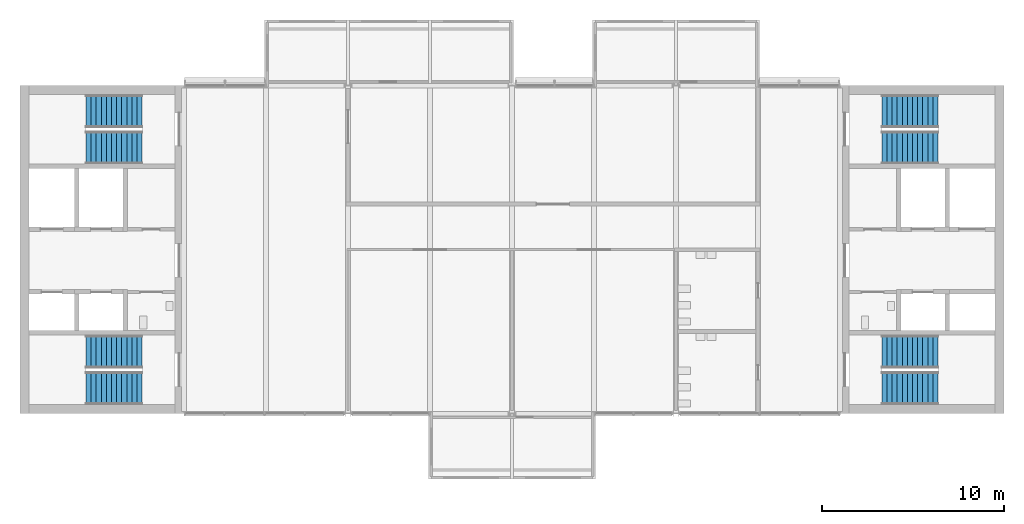
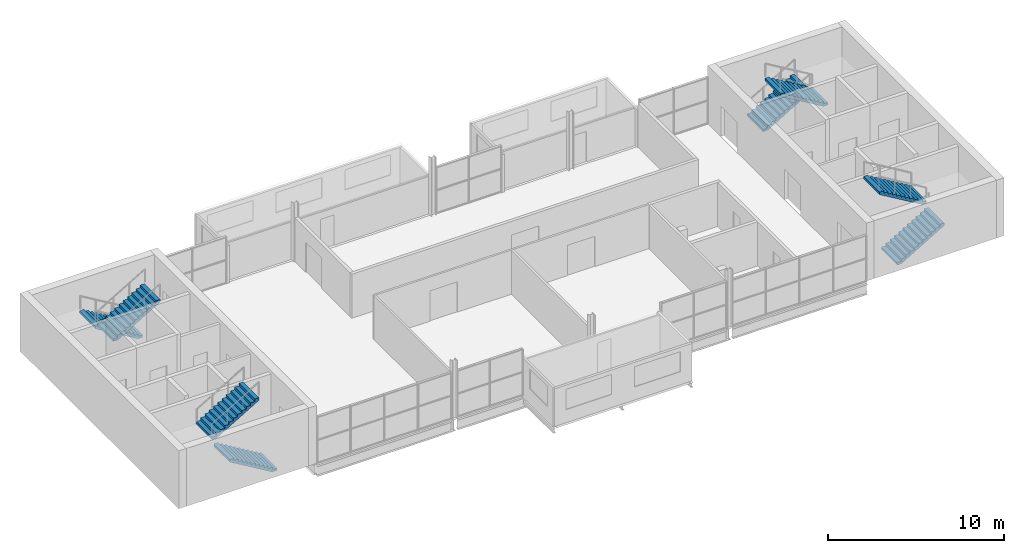
# One storey, part 7 of 10: 8 stair flights, 4 elements without a shape of their own.
"""IFC4 building model written with IfcOpenShell, lengths in metres."""

import ifcopenshell
import ifcopenshell.guid

model = None  # the IFC model being written
_history = None  # IfcOwnerHistory: only IFC2X3 demands one
_inside = {}  # id of a spatial element -> (the spatial element, [elements in it])
_under = {}  # id of a project, library or spatial element -> (it, [spatial elements below it])
_declared = {}  # id of a project -> (the project, [libraries it declares])
_typed = {}  # id of a type object -> (the type object, [elements of that type])
_made_of = {}  # id of a material, layer set ... -> (it, [elements and type objects made of it])


def new_model(schema):
    """Start an empty IFC model of exactly this schema.

    Asked for "IFC4X3", IfcOpenShell would pick the latest addendum, in which some entities
    have other attributes; the version numbers below select the first issue.
    IFC2X3 requires an IfcOwnerHistory on every rooted entity: one is made here for all.
    """
    global model, _history
    if schema == "IFC4X3":
        model = ifcopenshell.file(schema_version=(4, 3, 0, 0))
    else:
        model = ifcopenshell.file(schema=schema)
    _inside.clear()
    _under.clear()
    _declared.clear()
    _typed.clear()
    _made_of.clear()
    _history = None
    if model.schema == "IFC2X3":
        org = make("IfcOrganization", Name="unknown")
        user = make(
            "IfcPersonAndOrganization",
            ThePerson=make("IfcPerson", FamilyName="unknown"),
            TheOrganization=org,
        )
        app = make(
            "IfcApplication",
            ApplicationDeveloper=org,
            Version="unknown",
            ApplicationFullName="unknown",
            ApplicationIdentifier="unknown",
        )
        _history = make(
            "IfcOwnerHistory",
            OwningUser=user,
            OwningApplication=app,
            ChangeAction="ADDED",
            CreationDate=0,
        )
    return model


def make(cls, **values):
    """One entity of the class cls with the attributes given. An attribute that is None is left unset."""
    return model.create_entity(
        cls, **{name: value for name, value in values.items() if value is not None}
    )


def rooted(cls, **values):
    """An entity with a GlobalId (a new one), such as an element, a storey or a relation."""
    return make(cls, GlobalId=ifcopenshell.guid.new(), OwnerHistory=_history, **values)


def si_unit(unit_type, name, prefix=None):
    """IfcSIUnit, for example si_unit("LENGTHUNIT", "METRE", prefix="MILLI")."""
    return make("IfcSIUnit", UnitType=unit_type, Prefix=prefix, Name=name)


def assignment(units):
    """IfcUnitAssignment: the units of a project."""
    return None if units is None else make("IfcUnitAssignment", Units=units)


def point(xyz):
    """IfcCartesianPoint."""
    return None if xyz is None else make("IfcCartesianPoint", Coordinates=xyz)


def direction(xyz):
    """IfcDirection."""
    return None if xyz is None else make("IfcDirection", DirectionRatios=xyz)


def frame(location, z_axis=None, x_axis=None):
    """IfcAxis2Placement3D, a coordinate frame: its origin and axes. An axis left out is left unset."""
    return make(
        "IfcAxis2Placement3D",
        Location=point(location),
        Axis=direction(z_axis),
        RefDirection=direction(x_axis),
    )


def origin():
    """The frame at (0, 0, 0) with its axes left unset."""
    return frame((0.0, 0.0, 0.0))


def place(relative_to, where):
    """IfcLocalPlacement: puts the frame where relative to a parent placement (None: the world)."""
    return make(
        "IfcLocalPlacement", PlacementRelTo=relative_to, RelativePlacement=where
    )


def context(
    kind, dimensions, precision=None, world=None, true_north=None, identifier=None
):
    """IfcGeometricRepresentationContext, for example the 3D "Model" context."""
    return make(
        "IfcGeometricRepresentationContext",
        ContextIdentifier=identifier,
        ContextType=kind,
        CoordinateSpaceDimension=dimensions,
        Precision=precision,
        WorldCoordinateSystem=world,
        TrueNorth=true_north,
    )


def subcontext(parent, identifier, kind, view, scale=None):
    """IfcGeometricRepresentationSubContext, for example "Body" below "Model"."""
    return make(
        "IfcGeometricRepresentationSubContext",
        ContextIdentifier=identifier,
        ContextType=kind,
        ParentContext=parent,
        TargetScale=scale,
        TargetView=view,
    )


def project(units=None, contexts=None):
    """IfcProject with its units and contexts."""
    return rooted(
        "IfcProject",
        Name="project",
        RepresentationContexts=contexts,
        UnitsInContext=assignment(units),
    )


def spatial(cls, under=None, at=None, **own):
    """A site, building, storey or space (cls), placed at a placement, below another one or the project."""
    s = rooted(cls, ObjectPlacement=at, **own)
    if under is not None:
        _under.setdefault(under.id(), (under, []))[1].append(s)
    return s


def polyline(points):
    """IfcPolyline through the points."""
    return make("IfcPolyline", Points=[point(p) for p in points])


def outline(outer, holes=None, kind="AREA"):
    """IfcArbitraryClosedProfileDef: a profile drawn as a closed curve; with holes, ...WithVoids."""
    if holes is None:
        return make("IfcArbitraryClosedProfileDef", ProfileType=kind, OuterCurve=outer)
    return make(
        "IfcArbitraryProfileDefWithVoids",
        ProfileType=kind,
        OuterCurve=outer,
        InnerCurves=holes,
    )


def extrude(swept, where, along, depth):
    """IfcExtrudedAreaSolid: the profile swept, set in the frame where, extruded along a direction by depth."""
    return make(
        "IfcExtrudedAreaSolid",
        SweptArea=swept,
        Position=where,
        ExtrudedDirection=direction(along),
        Depth=depth,
    )


def shape(context_of_items, identifier, shape_type, items):
    """IfcShapeRepresentation: the items that make up one representation, for example the "Body"."""
    return make(
        "IfcShapeRepresentation",
        ContextOfItems=context_of_items,
        RepresentationIdentifier=identifier,
        RepresentationType=shape_type,
        Items=items,
    )


def material(Name=None, Category=None):
    """IfcMaterial."""
    return make("IfcMaterial", Name=Name, Category=Category)


def made_of(thing, what):
    """Note that an element or type object is made of a material, layer set ...; save() writes the relation."""
    if what is not None:
        _made_of.setdefault(what.id(), (what, []))[1].append(thing)
    return thing


def type_object(cls, material=None, **own):
    """A type object (cls), such as IfcWallType, which elements share."""
    return made_of(rooted(cls, **own), material)


def element(
    cls,
    number,
    at=None,
    inside=None,
    cuts=None,
    type_object=None,
    material=None,
    context=None,
    identifier="Body",
    shape_type=None,
    held_by="IfcProductDefinitionShape",
    body=None,
    shapes=None,
    **own,
):
    """One element of the class cls, such as IfcWall. Its Tag is "e" and its number.

    at: its placement. inside: the storey or other place that contains it. cuts: it is an
    opening in that element (IfcRelVoidsElement). A single representation is given by context,
    identifier, shape_type and body (its items); several are given by shapes. held_by: the class
    of the entity that holds the representations. save() writes the other relations.
    """
    e = rooted(cls, Tag="e%d" % number, ObjectPlacement=at, **own)
    if body is not None:
        shapes = [shape(context, identifier, shape_type, body)]
    if shapes is not None:
        e.Representation = make(held_by, Representations=shapes)
    if inside is not None:
        _inside.setdefault(inside.id(), (inside, []))[1].append(e)
    if cuts is not None:
        rooted(
            "IfcRelVoidsElement", RelatingBuildingElement=cuts, RelatedOpeningElement=e
        )
    if type_object is not None:
        _typed.setdefault(type_object.id(), (type_object, []))[1].append(e)
    return made_of(e, material)


def aggregate(whole, parts):
    """IfcRelAggregates: a whole, such as a stair, and the parts it consists of."""
    return rooted("IfcRelAggregates", RelatingObject=whole, RelatedObjects=parts)


def save(model, path):
    """Write the relations noted so far, then the file.

    IfcRelAggregates (storeys below a building ...), IfcRelContainedInSpatialStructure (elements
    in a storey), IfcRelDefinesByType, IfcRelAssociatesMaterial and IfcRelDeclares: one each for
    every whole, place, type object, material and project.
    """
    for whole, parts in _under.values():
        aggregate(whole, parts)
    for where, things in _inside.values():
        rooted(
            "IfcRelContainedInSpatialStructure",
            RelatedElements=things,
            RelatingStructure=where,
        )
    for kind, things in _typed.values():
        rooted("IfcRelDefinesByType", RelatedObjects=things, RelatingType=kind)
    for what, things in _made_of.values():
        rooted("IfcRelAssociatesMaterial", RelatedObjects=things, RelatingMaterial=what)
    for by, libraries in _declared.values():
        rooted("IfcRelDeclares", RelatingContext=by, RelatedDefinitions=libraries)
    model.write(path)


model = new_model("IFC4")

# Units and contexts
model_context = context("Model", 3, precision=1e-05, world=origin(), true_north=direction((0.0, 1.0)))
body_context = subcontext(model_context, "Body", "Model", "MODEL_VIEW")
ifc_project = project(units=[si_unit("LENGTHUNIT", "METRE"), si_unit("AREAUNIT", "SQUARE_METRE"), si_unit("VOLUMEUNIT", "CUBIC_METRE"), si_unit("PLANEANGLEUNIT", "RADIAN"), si_unit("MASSUNIT", "GRAM", prefix="KILO")], contexts=[model_context])

# Site, building, storey
site_placement = place(None, origin())
site = spatial("IfcSite", under=ifc_project, at=site_placement, CompositionType="ELEMENT")
building_placement = place(site_placement, origin())
building = spatial("IfcBuilding", under=site, at=building_placement, Name="Corbel Yard City Hall", CompositionType="ELEMENT")
storey_placement = place(building_placement, frame((0.0, 0.0, 51.199951171875)))
storey = spatial("IfcBuildingStorey", under=building, at=storey_placement, Name="L12", CompositionType="ELEMENT", Elevation=51.199951171875)

# Stair, stair flights
ifc_material = material(Name="Concrete N40 (40 MPa)", Category="concrete")
stair_type = type_object("IfcStairType", Name="ST4", PredefinedType="HALF_TURN_STAIR", material=ifc_material)
stair_1_placement = place(storey_placement, origin())
stair_1 = element("IfcStair", 1, at=stair_1_placement, inside=storey, type_object=stair_type, Name="Exit stair ST-W1 L12", PredefinedType="HALF_TURN_STAIR")
stair_flight_type = type_object("IfcStairFlightType", Name="FL4", PredefinedType="STRAIGHT", material=ifc_material)
stair_flight_1_placement = place(storey_placement, frame((6.699951171875, 100.39990234375, 0.0), z_axis=(0.0, 0.0, 1.0), x_axis=(-1.0, 0.0, 0.0)))
stair_flight_1 = element("IfcStairFlight", 2, at=stair_flight_1_placement, type_object=stair_flight_type, Name="ST-W1 flight 1", NumberOfRisers=12, NumberOfTreads=11, PredefinedType="STRAIGHT", RiserHeight=0.166667, TreadLength=0.28, context=body_context, shape_type="SweptSolid", body=[
    extrude(outline(polyline([(0.0, 0.0), (0.0, 0.166748046875), (0.280029296875, 0.166748046875), (0.280029296875, 0.333251953125), (0.56005859375, 0.333251953125), (0.56005859375, 0.5), (0.840087890625, 0.5), (0.840087890625, 0.666748046875), (1.1201171875, 0.666748046875), (1.1201171875, 0.833251953125), (1.39990234375, 0.833251953125), (1.39990234375, 1.0), (1.679931640625, 1.0), (1.679931640625, 1.166748046875), (1.9599609375, 1.166748046875), (1.9599609375, 1.333251953125), (2.239990234375, 1.333251953125), (2.239990234375, 1.5), (2.52001953125, 1.5), (2.52001953125, 1.666748046875), (2.800048828125, 1.666748046875), (2.800048828125, 1.833251953125), (3.080078125, 1.833251953125), (3.080078125, 2.0), (3.080078125, 1.658935546875), (0.29296875, 0.0), (0.0, 0.0)])), frame((0.0, 0.89990234375, 0.0), z_axis=(0.0, -1.0, 0.0), x_axis=(1.0, 0.0, 0.0)), (0.0, 0.0, 1.0), 1.800048828125),
])
stair_flight_2_placement = place(storey_placement, frame((3.6201171875, 102.39990234375, 2.0), z_axis=(0.0, 0.0, 1.0), x_axis=(1.0, 0.0, 0.0)))
stair_flight_2 = element("IfcStairFlight", 3, at=stair_flight_2_placement, type_object=stair_flight_type, Name="ST-W1 flight 2", NumberOfRisers=12, NumberOfTreads=11, PredefinedType="STRAIGHT", RiserHeight=0.166667, TreadLength=0.28, context=body_context, shape_type="SweptSolid", body=[
    extrude(outline(polyline([(0.0, 0.0), (0.0, 0.166748046875), (0.280029296875, 0.166748046875), (0.280029296875, 0.333251953125), (0.56005859375, 0.333251953125), (0.56005859375, 0.5), (0.840087890625, 0.5), (0.840087890625, 0.666748046875), (1.1201171875, 0.666748046875), (1.1201171875, 0.833251953125), (1.39990234375, 0.833251953125), (1.39990234375, 1.0), (1.679931640625, 1.0), (1.679931640625, 1.166748046875), (1.9599609375, 1.166748046875), (1.9599609375, 1.333251953125), (2.239990234375, 1.333251953125), (2.239990234375, 1.5), (2.52001953125, 1.5), (2.52001953125, 1.666748046875), (2.800048828125, 1.666748046875), (2.800048828125, 1.833251953125), (3.080078125, 1.833251953125), (3.080078125, 2.0), (3.080078125, 1.658935546875), (0.29296875, 0.0), (0.0, 0.0)])), frame((0.0, 0.89990234375, 0.0), z_axis=(0.0, -1.0, 0.0), x_axis=(1.0, 0.0, 0.0)), (0.0, 0.0, 1.0), 1.800048828125),
])
aggregate(stair_1, [stair_flight_1, stair_flight_2])

stair_2_placement = place(storey_placement, origin())
stair_2 = element("IfcStair", 4, at=stair_2_placement, inside=storey, type_object=stair_type, Name="Exit stair ST-W2 L12", PredefinedType="HALF_TURN_STAIR")
stair_flight_3_placement = place(storey_placement, frame((6.699951171875, 115.60009765625, 0.0), z_axis=(0.0, 0.0, 1.0), x_axis=(-1.0, 0.0, 0.0)))
stair_flight_3 = element("IfcStairFlight", 5, at=stair_flight_3_placement, type_object=stair_flight_type, Name="ST-W2 flight 1", NumberOfRisers=12, NumberOfTreads=11, PredefinedType="STRAIGHT", RiserHeight=0.166667, TreadLength=0.28, context=body_context, shape_type="SweptSolid", body=[
    extrude(outline(polyline([(0.0, 0.0), (0.0, 0.166748046875), (0.280029296875, 0.166748046875), (0.280029296875, 0.333251953125), (0.56005859375, 0.333251953125), (0.56005859375, 0.5), (0.840087890625, 0.5), (0.840087890625, 0.666748046875), (1.1201171875, 0.666748046875), (1.1201171875, 0.833251953125), (1.39990234375, 0.833251953125), (1.39990234375, 1.0), (1.679931640625, 1.0), (1.679931640625, 1.166748046875), (1.9599609375, 1.166748046875), (1.9599609375, 1.333251953125), (2.239990234375, 1.333251953125), (2.239990234375, 1.5), (2.52001953125, 1.5), (2.52001953125, 1.666748046875), (2.800048828125, 1.666748046875), (2.800048828125, 1.833251953125), (3.080078125, 1.833251953125), (3.080078125, 2.0), (3.080078125, 1.658935546875), (0.29296875, 0.0), (0.0, 0.0)])), frame((0.0, 0.89990234375, 0.0), z_axis=(0.0, -1.0, 0.0), x_axis=(1.0, 0.0, 0.0)), (0.0, 0.0, 1.0), 1.800048828125),
])
stair_flight_4_placement = place(storey_placement, frame((3.6201171875, 113.60009765625, 2.0), z_axis=(0.0, 0.0, 1.0), x_axis=(1.0, 0.0, 0.0)))
stair_flight_4 = element("IfcStairFlight", 6, at=stair_flight_4_placement, type_object=stair_flight_type, Name="ST-W2 flight 2", NumberOfRisers=12, NumberOfTreads=11, PredefinedType="STRAIGHT", RiserHeight=0.166667, TreadLength=0.28, context=body_context, shape_type="SweptSolid", body=[
    extrude(outline(polyline([(0.0, 0.0), (0.0, 0.166748046875), (0.280029296875, 0.166748046875), (0.280029296875, 0.333251953125), (0.56005859375, 0.333251953125), (0.56005859375, 0.5), (0.840087890625, 0.5), (0.840087890625, 0.666748046875), (1.1201171875, 0.666748046875), (1.1201171875, 0.833251953125), (1.39990234375, 0.833251953125), (1.39990234375, 1.0), (1.679931640625, 1.0), (1.679931640625, 1.166748046875), (1.9599609375, 1.166748046875), (1.9599609375, 1.333251953125), (2.239990234375, 1.333251953125), (2.239990234375, 1.5), (2.52001953125, 1.5), (2.52001953125, 1.666748046875), (2.800048828125, 1.666748046875), (2.800048828125, 1.833251953125), (3.080078125, 1.833251953125), (3.080078125, 2.0), (3.080078125, 1.658935546875), (0.29296875, 0.0), (0.0, 0.0)])), frame((0.0, 0.89990234375, 0.0), z_axis=(0.0, -1.0, 0.0), x_axis=(1.0, 0.0, 0.0)), (0.0, 0.0, 1.0), 1.800048828125),
])
aggregate(stair_2, [stair_flight_3, stair_flight_4])

stair_3_placement = place(storey_placement, origin())
stair_3 = element("IfcStair", 7, at=stair_3_placement, inside=storey, type_object=stair_type, Name="Exit stair ST-E1 L12", PredefinedType="HALF_TURN_STAIR")
stair_flight_5_placement = place(storey_placement, frame((47.300048828125, 100.39990234375, 0.0), z_axis=(0.0, 0.0, 1.0), x_axis=(1.0, 0.0, 0.0)))
stair_flight_5 = element("IfcStairFlight", 8, at=stair_flight_5_placement, type_object=stair_flight_type, Name="ST-E1 flight 1", NumberOfRisers=12, NumberOfTreads=11, PredefinedType="STRAIGHT", RiserHeight=0.166667, TreadLength=0.28, context=body_context, shape_type="SweptSolid", body=[
    extrude(outline(polyline([(0.0, 0.0), (0.0, 0.166748046875), (0.280029296875, 0.166748046875), (0.280029296875, 0.333251953125), (0.56005859375, 0.333251953125), (0.56005859375, 0.5), (0.840087890625, 0.5), (0.840087890625, 0.666748046875), (1.1201171875, 0.666748046875), (1.1201171875, 0.833251953125), (1.39990234375, 0.833251953125), (1.39990234375, 1.0), (1.679931640625, 1.0), (1.679931640625, 1.166748046875), (1.9599609375, 1.166748046875), (1.9599609375, 1.333251953125), (2.239990234375, 1.333251953125), (2.239990234375, 1.5), (2.52001953125, 1.5), (2.52001953125, 1.666748046875), (2.800048828125, 1.666748046875), (2.800048828125, 1.833251953125), (3.080078125, 1.833251953125), (3.080078125, 2.0), (3.080078125, 1.658935546875), (0.29296875, 0.0), (0.0, 0.0)])), frame((0.0, 0.89990234375, 0.0), z_axis=(0.0, -1.0, 0.0), x_axis=(1.0, 0.0, 0.0)), (0.0, 0.0, 1.0), 1.800048828125),
])
stair_flight_6_placement = place(storey_placement, frame((50.3798828125, 102.39990234375, 2.0), z_axis=(0.0, 0.0, 1.0), x_axis=(-1.0, 0.0, 0.0)))
stair_flight_6 = element("IfcStairFlight", 9, at=stair_flight_6_placement, type_object=stair_flight_type, Name="ST-E1 flight 2", NumberOfRisers=12, NumberOfTreads=11, PredefinedType="STRAIGHT", RiserHeight=0.166667, TreadLength=0.28, context=body_context, shape_type="SweptSolid", body=[
    extrude(outline(polyline([(0.0, 0.0), (0.0, 0.166748046875), (0.280029296875, 0.166748046875), (0.280029296875, 0.333251953125), (0.56005859375, 0.333251953125), (0.56005859375, 0.5), (0.840087890625, 0.5), (0.840087890625, 0.666748046875), (1.1201171875, 0.666748046875), (1.1201171875, 0.833251953125), (1.39990234375, 0.833251953125), (1.39990234375, 1.0), (1.679931640625, 1.0), (1.679931640625, 1.166748046875), (1.9599609375, 1.166748046875), (1.9599609375, 1.333251953125), (2.239990234375, 1.333251953125), (2.239990234375, 1.5), (2.52001953125, 1.5), (2.52001953125, 1.666748046875), (2.800048828125, 1.666748046875), (2.800048828125, 1.833251953125), (3.080078125, 1.833251953125), (3.080078125, 2.0), (3.080078125, 1.658935546875), (0.29296875, 0.0), (0.0, 0.0)])), frame((0.0, 0.89990234375, 0.0), z_axis=(0.0, -1.0, 0.0), x_axis=(1.0, 0.0, 0.0)), (0.0, 0.0, 1.0), 1.800048828125),
])
aggregate(stair_3, [stair_flight_5, stair_flight_6])

stair_4_placement = place(storey_placement, origin())
stair_4 = element("IfcStair", 10, at=stair_4_placement, inside=storey, type_object=stair_type, Name="Exit stair ST-E2 L12", PredefinedType="HALF_TURN_STAIR")
stair_flight_7_placement = place(storey_placement, frame((47.300048828125, 115.60009765625, 0.0), z_axis=(0.0, 0.0, 1.0), x_axis=(1.0, 0.0, 0.0)))
stair_flight_7 = element("IfcStairFlight", 11, at=stair_flight_7_placement, type_object=stair_flight_type, Name="ST-E2 flight 1", NumberOfRisers=12, NumberOfTreads=11, PredefinedType="STRAIGHT", RiserHeight=0.166667, TreadLength=0.28, context=body_context, shape_type="SweptSolid", body=[
    extrude(outline(polyline([(0.0, 0.0), (0.0, 0.166748046875), (0.280029296875, 0.166748046875), (0.280029296875, 0.333251953125), (0.56005859375, 0.333251953125), (0.56005859375, 0.5), (0.840087890625, 0.5), (0.840087890625, 0.666748046875), (1.1201171875, 0.666748046875), (1.1201171875, 0.833251953125), (1.39990234375, 0.833251953125), (1.39990234375, 1.0), (1.679931640625, 1.0), (1.679931640625, 1.166748046875), (1.9599609375, 1.166748046875), (1.9599609375, 1.333251953125), (2.239990234375, 1.333251953125), (2.239990234375, 1.5), (2.52001953125, 1.5), (2.52001953125, 1.666748046875), (2.800048828125, 1.666748046875), (2.800048828125, 1.833251953125), (3.080078125, 1.833251953125), (3.080078125, 2.0), (3.080078125, 1.658935546875), (0.29296875, 0.0), (0.0, 0.0)])), frame((0.0, 0.89990234375, 0.0), z_axis=(0.0, -1.0, 0.0), x_axis=(1.0, 0.0, 0.0)), (0.0, 0.0, 1.0), 1.800048828125),
])
stair_flight_8_placement = place(storey_placement, frame((50.3798828125, 113.60009765625, 2.0), z_axis=(0.0, 0.0, 1.0), x_axis=(-1.0, 0.0, 0.0)))
stair_flight_8 = element("IfcStairFlight", 12, at=stair_flight_8_placement, type_object=stair_flight_type, Name="ST-E2 flight 2", NumberOfRisers=12, NumberOfTreads=11, PredefinedType="STRAIGHT", RiserHeight=0.166667, TreadLength=0.28, context=body_context, shape_type="SweptSolid", body=[
    extrude(outline(polyline([(0.0, 0.0), (0.0, 0.166748046875), (0.280029296875, 0.166748046875), (0.280029296875, 0.333251953125), (0.56005859375, 0.333251953125), (0.56005859375, 0.5), (0.840087890625, 0.5), (0.840087890625, 0.666748046875), (1.1201171875, 0.666748046875), (1.1201171875, 0.833251953125), (1.39990234375, 0.833251953125), (1.39990234375, 1.0), (1.679931640625, 1.0), (1.679931640625, 1.166748046875), (1.9599609375, 1.166748046875), (1.9599609375, 1.333251953125), (2.239990234375, 1.333251953125), (2.239990234375, 1.5), (2.52001953125, 1.5), (2.52001953125, 1.666748046875), (2.800048828125, 1.666748046875), (2.800048828125, 1.833251953125), (3.080078125, 1.833251953125), (3.080078125, 2.0), (3.080078125, 1.658935546875), (0.29296875, 0.0), (0.0, 0.0)])), frame((0.0, 0.89990234375, 0.0), z_axis=(0.0, -1.0, 0.0), x_axis=(1.0, 0.0, 0.0)), (0.0, 0.0, 1.0), 1.800048828125),
])
aggregate(stair_4, [stair_flight_7, stair_flight_8])

save(model, "model.ifc")
